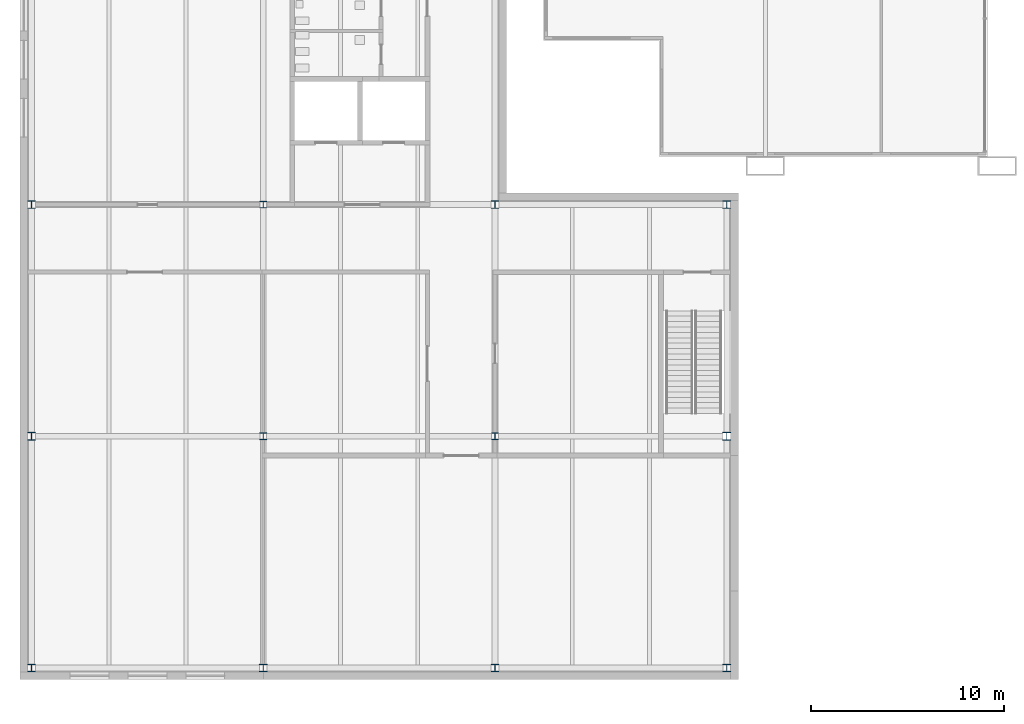
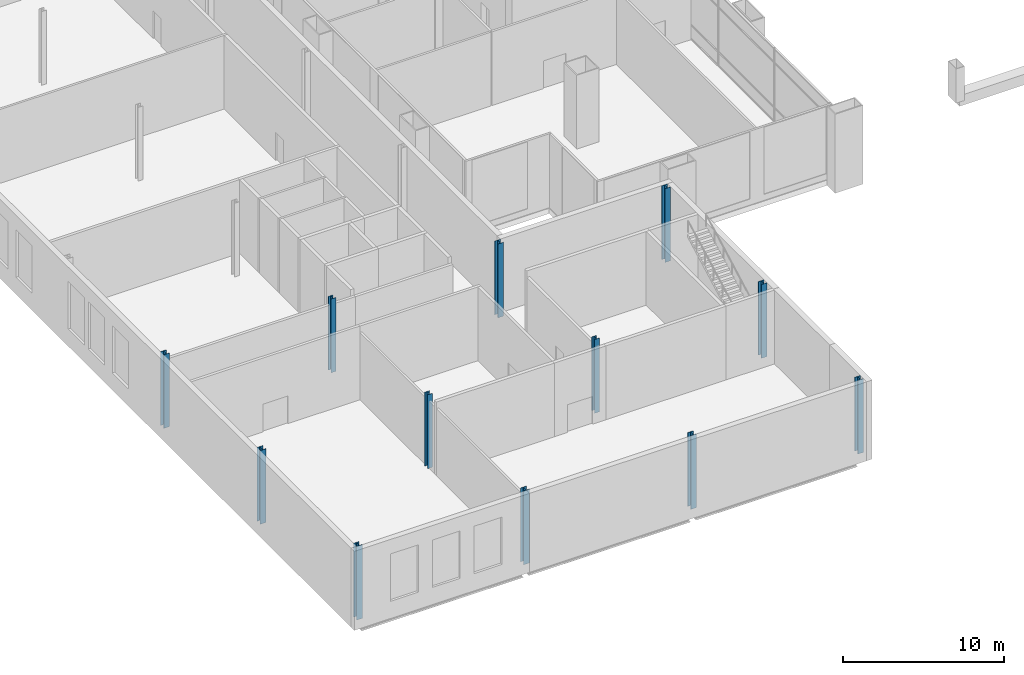
# One storey, part 1 of 25: 12 columns.
"""IFC4 building model written with IfcOpenShell, lengths in metres."""

import ifcopenshell
import ifcopenshell.guid

model = None  # the IFC model being written
_history = None  # IfcOwnerHistory: only IFC2X3 demands one
_inside = {}  # id of a spatial element -> (the spatial element, [elements in it])
_under = {}  # id of a project, library or spatial element -> (it, [spatial elements below it])
_declared = {}  # id of a project -> (the project, [libraries it declares])
_typed = {}  # id of a type object -> (the type object, [elements of that type])
_made_of = {}  # id of a material, layer set ... -> (it, [elements and type objects made of it])


def new_model(schema):
    """Start an empty IFC model of exactly this schema.

    Asked for "IFC4X3", IfcOpenShell would pick the latest addendum, in which some entities
    have other attributes; the version numbers below select the first issue.
    IFC2X3 requires an IfcOwnerHistory on every rooted entity: one is made here for all.
    """
    global model, _history
    if schema == "IFC4X3":
        model = ifcopenshell.file(schema_version=(4, 3, 0, 0))
    else:
        model = ifcopenshell.file(schema=schema)
    _inside.clear()
    _under.clear()
    _declared.clear()
    _typed.clear()
    _made_of.clear()
    _history = None
    if model.schema == "IFC2X3":
        org = make("IfcOrganization", Name="unknown")
        user = make(
            "IfcPersonAndOrganization",
            ThePerson=make("IfcPerson", FamilyName="unknown"),
            TheOrganization=org,
        )
        app = make(
            "IfcApplication",
            ApplicationDeveloper=org,
            Version="unknown",
            ApplicationFullName="unknown",
            ApplicationIdentifier="unknown",
        )
        _history = make(
            "IfcOwnerHistory",
            OwningUser=user,
            OwningApplication=app,
            ChangeAction="ADDED",
            CreationDate=0,
        )
    return model


def make(cls, **values):
    """One entity of the class cls with the attributes given. An attribute that is None is left unset."""
    return model.create_entity(
        cls, **{name: value for name, value in values.items() if value is not None}
    )


def rooted(cls, **values):
    """An entity with a GlobalId (a new one), such as an element, a storey or a relation."""
    return make(cls, GlobalId=ifcopenshell.guid.new(), OwnerHistory=_history, **values)


def si_unit(unit_type, name, prefix=None):
    """IfcSIUnit, for example si_unit("LENGTHUNIT", "METRE", prefix="MILLI")."""
    return make("IfcSIUnit", UnitType=unit_type, Prefix=prefix, Name=name)


def assignment(units):
    """IfcUnitAssignment: the units of a project."""
    return None if units is None else make("IfcUnitAssignment", Units=units)


def point(xyz):
    """IfcCartesianPoint."""
    return None if xyz is None else make("IfcCartesianPoint", Coordinates=xyz)


def direction(xyz):
    """IfcDirection."""
    return None if xyz is None else make("IfcDirection", DirectionRatios=xyz)


def frame(location, z_axis=None, x_axis=None):
    """IfcAxis2Placement3D, a coordinate frame: its origin and axes. An axis left out is left unset."""
    return make(
        "IfcAxis2Placement3D",
        Location=point(location),
        Axis=direction(z_axis),
        RefDirection=direction(x_axis),
    )


def frame_2d(location, x_axis=None):
    """IfcAxis2Placement2D, a coordinate frame in the plane: its origin and x axis."""
    return make(
        "IfcAxis2Placement2D", Location=point(location), RefDirection=direction(x_axis)
    )


def origin():
    """The frame at (0, 0, 0) with its axes left unset."""
    return frame((0.0, 0.0, 0.0))


def origin_2d():
    """The frame at (0, 0) in the plane with its x axis left unset."""
    return frame_2d((0.0, 0.0))


def place(relative_to, where):
    """IfcLocalPlacement: puts the frame where relative to a parent placement (None: the world)."""
    return make(
        "IfcLocalPlacement", PlacementRelTo=relative_to, RelativePlacement=where
    )


def context(
    kind, dimensions, precision=None, world=None, true_north=None, identifier=None
):
    """IfcGeometricRepresentationContext, for example the 3D "Model" context."""
    return make(
        "IfcGeometricRepresentationContext",
        ContextIdentifier=identifier,
        ContextType=kind,
        CoordinateSpaceDimension=dimensions,
        Precision=precision,
        WorldCoordinateSystem=world,
        TrueNorth=true_north,
    )


def subcontext(parent, identifier, kind, view, scale=None):
    """IfcGeometricRepresentationSubContext, for example "Body" below "Model"."""
    return make(
        "IfcGeometricRepresentationSubContext",
        ContextIdentifier=identifier,
        ContextType=kind,
        ParentContext=parent,
        TargetScale=scale,
        TargetView=view,
    )


def project(units=None, contexts=None):
    """IfcProject with its units and contexts."""
    return rooted(
        "IfcProject",
        Name="project",
        RepresentationContexts=contexts,
        UnitsInContext=assignment(units),
    )


def spatial(cls, under=None, at=None, **own):
    """A site, building, storey or space (cls), placed at a placement, below another one or the project."""
    s = rooted(cls, ObjectPlacement=at, **own)
    if under is not None:
        _under.setdefault(under.id(), (under, []))[1].append(s)
    return s


def profile(cls, at=None, kind="AREA", **sizes):
    """A parametric profile (cls). Its sizes go by their IFC names, for example OverallWidth=200.0."""
    return make(cls, ProfileType=kind, Position=at, **sizes)


def i_section(**sizes):
    """IfcIShapeProfileDef."""
    return profile("IfcIShapeProfileDef", **sizes)


def extrude(swept, where, along, depth):
    """IfcExtrudedAreaSolid: the profile swept, set in the frame where, extruded along a direction by depth."""
    return make(
        "IfcExtrudedAreaSolid",
        SweptArea=swept,
        Position=where,
        ExtrudedDirection=direction(along),
        Depth=depth,
    )


def shape(context_of_items, identifier, shape_type, items):
    """IfcShapeRepresentation: the items that make up one representation, for example the "Body"."""
    return make(
        "IfcShapeRepresentation",
        ContextOfItems=context_of_items,
        RepresentationIdentifier=identifier,
        RepresentationType=shape_type,
        Items=items,
    )


def material(Name=None, Category=None):
    """IfcMaterial."""
    return make("IfcMaterial", Name=Name, Category=Category)


def material_profile(
    of_material, cross_section, Name=None, Category=None, Priority=None
):
    """IfcMaterialProfile: a cross section and its material."""
    return make(
        "IfcMaterialProfile",
        Name=Name,
        Material=of_material,
        Profile=cross_section,
        Priority=Priority,
        Category=Category,
    )


def profile_set(profiles, Name=None, composite=None):
    """IfcMaterialProfileSet."""
    return make(
        "IfcMaterialProfileSet",
        Name=Name,
        MaterialProfiles=profiles,
        CompositeProfile=composite,
    )


def made_of(thing, what):
    """Note that an element or type object is made of a material, layer set ...; save() writes the relation."""
    if what is not None:
        _made_of.setdefault(what.id(), (what, []))[1].append(thing)
    return thing


def type_object(cls, material=None, **own):
    """A type object (cls), such as IfcWallType, which elements share."""
    return made_of(rooted(cls, **own), material)


def element(
    cls,
    number,
    at=None,
    inside=None,
    cuts=None,
    type_object=None,
    material=None,
    context=None,
    identifier="Body",
    shape_type=None,
    held_by="IfcProductDefinitionShape",
    body=None,
    shapes=None,
    **own,
):
    """One element of the class cls, such as IfcWall. Its Tag is "e" and its number.

    at: its placement. inside: the storey or other place that contains it. cuts: it is an
    opening in that element (IfcRelVoidsElement). A single representation is given by context,
    identifier, shape_type and body (its items); several are given by shapes. held_by: the class
    of the entity that holds the representations. save() writes the other relations.
    """
    e = rooted(cls, Tag="e%d" % number, ObjectPlacement=at, **own)
    if body is not None:
        shapes = [shape(context, identifier, shape_type, body)]
    if shapes is not None:
        e.Representation = make(held_by, Representations=shapes)
    if inside is not None:
        _inside.setdefault(inside.id(), (inside, []))[1].append(e)
    if cuts is not None:
        rooted(
            "IfcRelVoidsElement", RelatingBuildingElement=cuts, RelatedOpeningElement=e
        )
    if type_object is not None:
        _typed.setdefault(type_object.id(), (type_object, []))[1].append(e)
    return made_of(e, material)


def aggregate(whole, parts):
    """IfcRelAggregates: a whole, such as a stair, and the parts it consists of."""
    return rooted("IfcRelAggregates", RelatingObject=whole, RelatedObjects=parts)


def save(model, path):
    """Write the relations noted so far, then the file.

    IfcRelAggregates (storeys below a building ...), IfcRelContainedInSpatialStructure (elements
    in a storey), IfcRelDefinesByType, IfcRelAssociatesMaterial and IfcRelDeclares: one each for
    every whole, place, type object, material and project.
    """
    for whole, parts in _under.values():
        aggregate(whole, parts)
    for where, things in _inside.values():
        rooted(
            "IfcRelContainedInSpatialStructure",
            RelatedElements=things,
            RelatingStructure=where,
        )
    for kind, things in _typed.values():
        rooted("IfcRelDefinesByType", RelatedObjects=things, RelatingType=kind)
    for what, things in _made_of.values():
        rooted("IfcRelAssociatesMaterial", RelatedObjects=things, RelatingMaterial=what)
    for by, libraries in _declared.values():
        rooted("IfcRelDeclares", RelatingContext=by, RelatedDefinitions=libraries)
    model.write(path)


model = new_model("IFC4")

# Units and contexts
model_context = context("Model", 3, precision=1e-05, world=origin(), true_north=direction((0.0, 1.0)))
body_context = subcontext(model_context, "Body", "Model", "MODEL_VIEW")
ifc_project = project(units=[si_unit("LENGTHUNIT", "METRE"), si_unit("AREAUNIT", "SQUARE_METRE"), si_unit("VOLUMEUNIT", "CUBIC_METRE"), si_unit("PLANEANGLEUNIT", "RADIAN"), si_unit("MASSUNIT", "GRAM", prefix="KILO")], contexts=[model_context])

# Site, building, storey
site_placement = place(None, origin())
site = spatial("IfcSite", under=ifc_project, at=site_placement, CompositionType="ELEMENT")
building_placement = place(site_placement, origin())
building = spatial("IfcBuilding", under=site, at=building_placement, Name="Kitamizu Gate Tower and Museum", CompositionType="ELEMENT")
storey_placement = place(building_placement, frame((0.0, 0.0, 18.0)))
storey = spatial("IfcBuildingStorey", under=building, at=storey_placement, Name="L03", CompositionType="ELEMENT", Elevation=18.0)

# Columns
ifc_material_1 = material(Name="Steel SS400", Category="steel")
ifc_material_profile_1 = material_profile(ifc_material_1, i_section(OverallWidth=0.35009765625, OverallDepth=0.35009765625, WebThickness=0.011962890625, FlangeThickness=0.01904296875, FilletRadius=0.012939453125, at=origin_2d()), Name="H-350x350x12x19")
ifc_profile_set_1 = profile_set([ifc_material_profile_1], Name="Steel SS400")
column_type_1 = type_object("IfcColumnType", Name="Museum column H 350x350x12x19", PredefinedType="COLUMN", material=ifc_profile_set_1)
for number, where, z_axis, x_axis, name in (
    (1, (-14.0, -14.0, 0.0), (0.0, 0.0, 1.0), (1.0, 0.0, 0.0), "Column M2MB"),
    (2, (-14.0, -2.0, 0.0), (0.0, 0.0, 1.0), (1.0, 0.0, 0.0), "Column M2MC"),
    (3, (-2.0, -14.0, 0.0), (0.0, 0.0, 1.0), (1.0, 0.0, 0.0), "Column M3MB"),
):
    element("IfcColumn", number, at=place(storey_placement, frame(where, z_axis=z_axis, x_axis=x_axis)), inside=storey, type_object=column_type_1, Name=name, PredefinedType="COLUMN", context=body_context, shape_type="SweptSolid", body=[
        extrude(i_section(OverallWidth=0.35009765625, OverallDepth=0.35009765625, WebThickness=0.011962890625, FlangeThickness=0.01904296875, FilletRadius=0.012939453125, at=origin_2d()), origin(), (0.0, 0.0, 1.0), 5.60009765625),
    ])
ifc_material_2 = material(Name="Steel SS400", Category="steel")
ifc_material_profile_2 = material_profile(ifc_material_2, i_section(OverallWidth=0.39990234375, OverallDepth=0.39990234375, WebThickness=0.012939453125, FlangeThickness=0.02099609375, FilletRadius=0.02197265625, at=origin_2d()), Name="H-400x400x13x21")
ifc_profile_set_2 = profile_set([ifc_material_profile_2], Name="Steel SS400")
column_type_2 = type_object("IfcColumnType", Name="Museum perimeter column H 400x400x13x21", PredefinedType="COLUMN", material=ifc_profile_set_2)
for number, where, z_axis, x_axis, name in (
    (4, (-26.0, -26.0, 0.0), (0.0, 0.0, 1.0), (1.0, 0.0, 0.0), "Column M1MA"),
    (5, (-26.0, -14.0, 0.0), (0.0, 0.0, 1.0), (1.0, 0.0, 0.0), "Column M1MB"),
    (6, (-26.0, -2.0, 0.0), (0.0, 0.0, 1.0), (1.0, 0.0, 0.0), "Column M1MC"),
    (7, (-14.0, -26.0, 0.0), (0.0, 0.0, 1.0), (1.0, 0.0, 0.0), "Column M2MA"),
    (8, (-2.0, -26.0, 0.0), (0.0, 0.0, 1.0), (1.0, 0.0, 0.0), "Column M3MA"),
    (9, (-2.0, -2.0, 0.0), (0.0, 0.0, 1.0), (1.0, 0.0, 0.0), "Column M3MC"),
    (10, (10.0, -26.0, 0.0), (0.0, 0.0, 1.0), (1.0, 0.0, 0.0), "Column M4MA"),
    (11, (10.0, -14.0, 0.0), (0.0, 0.0, 1.0), (1.0, 0.0, 0.0), "Column M4MB"),
    (12, (10.0, -2.0, 0.0), (0.0, 0.0, 1.0), (1.0, 0.0, 0.0), "Column M4MC"),
):
    element("IfcColumn", number, at=place(storey_placement, frame(where, z_axis=z_axis, x_axis=x_axis)), inside=storey, type_object=column_type_2, Name=name, PredefinedType="COLUMN", context=body_context, shape_type="SweptSolid", body=[
        extrude(i_section(OverallWidth=0.39990234375, OverallDepth=0.39990234375, WebThickness=0.012939453125, FlangeThickness=0.02099609375, FilletRadius=0.02197265625, at=origin_2d()), origin(), (0.0, 0.0, 1.0), 5.60009765625),
    ])

save(model, "model.ifc")
